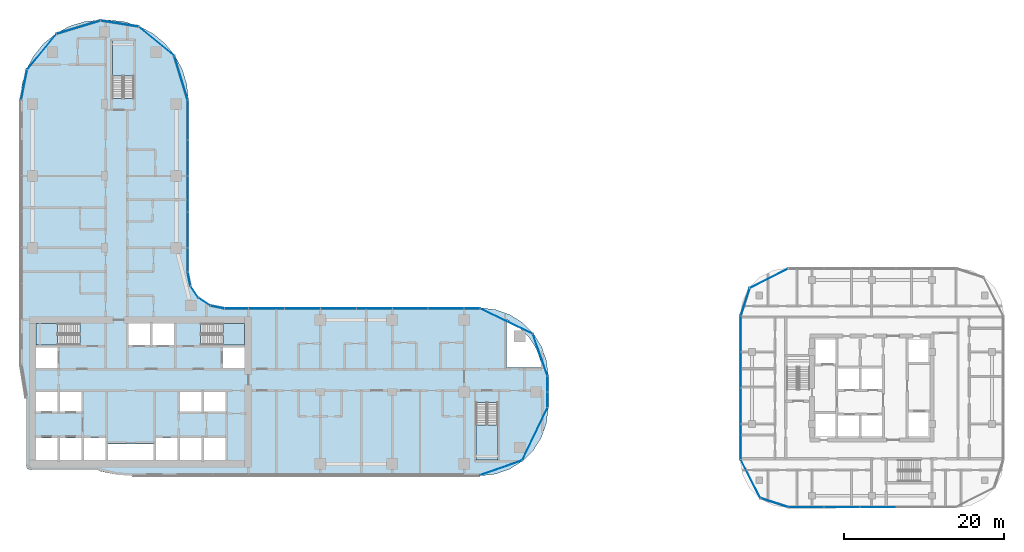
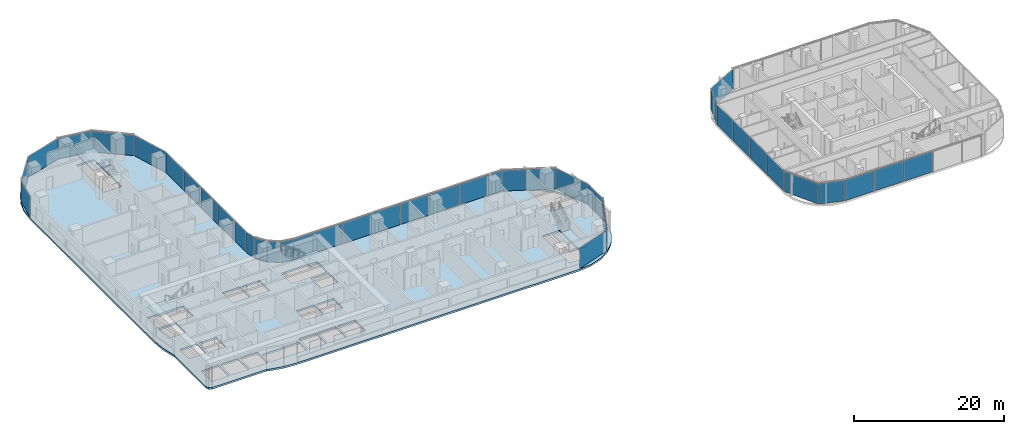
# One storey, part 14 of 33: 40 plates, 5 slabs, 15 elements without a shape of their own.
"""IFC4 building model written with IfcOpenShell, lengths in metres."""

import ifcopenshell
import ifcopenshell.guid

model = None  # the IFC model being written
_history = None  # IfcOwnerHistory: only IFC2X3 demands one
_inside = {}  # id of a spatial element -> (the spatial element, [elements in it])
_under = {}  # id of a project, library or spatial element -> (it, [spatial elements below it])
_declared = {}  # id of a project -> (the project, [libraries it declares])
_typed = {}  # id of a type object -> (the type object, [elements of that type])
_made_of = {}  # id of a material, layer set ... -> (it, [elements and type objects made of it])


def new_model(schema):
    """Start an empty IFC model of exactly this schema.

    Asked for "IFC4X3", IfcOpenShell would pick the latest addendum, in which some entities
    have other attributes; the version numbers below select the first issue.
    IFC2X3 requires an IfcOwnerHistory on every rooted entity: one is made here for all.
    """
    global model, _history
    if schema == "IFC4X3":
        model = ifcopenshell.file(schema_version=(4, 3, 0, 0))
    else:
        model = ifcopenshell.file(schema=schema)
    _inside.clear()
    _under.clear()
    _declared.clear()
    _typed.clear()
    _made_of.clear()
    _history = None
    if model.schema == "IFC2X3":
        org = make("IfcOrganization", Name="unknown")
        user = make(
            "IfcPersonAndOrganization",
            ThePerson=make("IfcPerson", FamilyName="unknown"),
            TheOrganization=org,
        )
        app = make(
            "IfcApplication",
            ApplicationDeveloper=org,
            Version="unknown",
            ApplicationFullName="unknown",
            ApplicationIdentifier="unknown",
        )
        _history = make(
            "IfcOwnerHistory",
            OwningUser=user,
            OwningApplication=app,
            ChangeAction="ADDED",
            CreationDate=0,
        )
    return model


def make(cls, **values):
    """One entity of the class cls with the attributes given. An attribute that is None is left unset."""
    return model.create_entity(
        cls, **{name: value for name, value in values.items() if value is not None}
    )


def rooted(cls, **values):
    """An entity with a GlobalId (a new one), such as an element, a storey or a relation."""
    return make(cls, GlobalId=ifcopenshell.guid.new(), OwnerHistory=_history, **values)


def si_unit(unit_type, name, prefix=None):
    """IfcSIUnit, for example si_unit("LENGTHUNIT", "METRE", prefix="MILLI")."""
    return make("IfcSIUnit", UnitType=unit_type, Prefix=prefix, Name=name)


def assignment(units):
    """IfcUnitAssignment: the units of a project."""
    return None if units is None else make("IfcUnitAssignment", Units=units)


def point(xyz):
    """IfcCartesianPoint."""
    return None if xyz is None else make("IfcCartesianPoint", Coordinates=xyz)


def direction(xyz):
    """IfcDirection."""
    return None if xyz is None else make("IfcDirection", DirectionRatios=xyz)


def frame(location, z_axis=None, x_axis=None):
    """IfcAxis2Placement3D, a coordinate frame: its origin and axes. An axis left out is left unset."""
    return make(
        "IfcAxis2Placement3D",
        Location=point(location),
        Axis=direction(z_axis),
        RefDirection=direction(x_axis),
    )


def frame_2d(location, x_axis=None):
    """IfcAxis2Placement2D, a coordinate frame in the plane: its origin and x axis."""
    return make(
        "IfcAxis2Placement2D", Location=point(location), RefDirection=direction(x_axis)
    )


def origin():
    """The frame at (0, 0, 0) with its axes left unset."""
    return frame((0.0, 0.0, 0.0))


def origin_2d():
    """The frame at (0, 0) in the plane with its x axis left unset."""
    return frame_2d((0.0, 0.0))


def place(relative_to, where):
    """IfcLocalPlacement: puts the frame where relative to a parent placement (None: the world)."""
    return make(
        "IfcLocalPlacement", PlacementRelTo=relative_to, RelativePlacement=where
    )


def context(
    kind, dimensions, precision=None, world=None, true_north=None, identifier=None
):
    """IfcGeometricRepresentationContext, for example the 3D "Model" context."""
    return make(
        "IfcGeometricRepresentationContext",
        ContextIdentifier=identifier,
        ContextType=kind,
        CoordinateSpaceDimension=dimensions,
        Precision=precision,
        WorldCoordinateSystem=world,
        TrueNorth=true_north,
    )


def subcontext(parent, identifier, kind, view, scale=None):
    """IfcGeometricRepresentationSubContext, for example "Body" below "Model"."""
    return make(
        "IfcGeometricRepresentationSubContext",
        ContextIdentifier=identifier,
        ContextType=kind,
        ParentContext=parent,
        TargetScale=scale,
        TargetView=view,
    )


def project(units=None, contexts=None):
    """IfcProject with its units and contexts."""
    return rooted(
        "IfcProject",
        Name="project",
        RepresentationContexts=contexts,
        UnitsInContext=assignment(units),
    )


def spatial(cls, under=None, at=None, **own):
    """A site, building, storey or space (cls), placed at a placement, below another one or the project."""
    s = rooted(cls, ObjectPlacement=at, **own)
    if under is not None:
        _under.setdefault(under.id(), (under, []))[1].append(s)
    return s


def polyline(points):
    """IfcPolyline through the points."""
    return make("IfcPolyline", Points=[point(p) for p in points])


def profile(cls, at=None, kind="AREA", **sizes):
    """A parametric profile (cls). Its sizes go by their IFC names, for example OverallWidth=200.0."""
    return make(cls, ProfileType=kind, Position=at, **sizes)


def rectangle(**sizes):
    """IfcRectangleProfileDef."""
    return profile("IfcRectangleProfileDef", **sizes)


def outline(outer, holes=None, kind="AREA"):
    """IfcArbitraryClosedProfileDef: a profile drawn as a closed curve; with holes, ...WithVoids."""
    if holes is None:
        return make("IfcArbitraryClosedProfileDef", ProfileType=kind, OuterCurve=outer)
    return make(
        "IfcArbitraryProfileDefWithVoids",
        ProfileType=kind,
        OuterCurve=outer,
        InnerCurves=holes,
    )


def extrude(swept, where, along, depth):
    """IfcExtrudedAreaSolid: the profile swept, set in the frame where, extruded along a direction by depth."""
    return make(
        "IfcExtrudedAreaSolid",
        SweptArea=swept,
        Position=where,
        ExtrudedDirection=direction(along),
        Depth=depth,
    )


def shape(context_of_items, identifier, shape_type, items):
    """IfcShapeRepresentation: the items that make up one representation, for example the "Body"."""
    return make(
        "IfcShapeRepresentation",
        ContextOfItems=context_of_items,
        RepresentationIdentifier=identifier,
        RepresentationType=shape_type,
        Items=items,
    )


def material(Name=None, Category=None):
    """IfcMaterial."""
    return make("IfcMaterial", Name=Name, Category=Category)


def layer(
    of_material, thickness, ventilated=None, Name=None, Category=None, Priority=None
):
    """IfcMaterialLayer: one layer of a wall or slab, of a material (None: an air gap)."""
    return make(
        "IfcMaterialLayer",
        Material=of_material,
        LayerThickness=thickness,
        IsVentilated=ventilated,
        Name=Name,
        Category=Category,
        Priority=Priority,
    )


def layer_set(layers, Name=None):
    """IfcMaterialLayerSet."""
    return make("IfcMaterialLayerSet", MaterialLayers=layers, LayerSetName=Name)


def made_of(thing, what):
    """Note that an element or type object is made of a material, layer set ...; save() writes the relation."""
    if what is not None:
        _made_of.setdefault(what.id(), (what, []))[1].append(thing)
    return thing


def type_object(cls, material=None, **own):
    """A type object (cls), such as IfcWallType, which elements share."""
    return made_of(rooted(cls, **own), material)


def element(
    cls,
    number,
    at=None,
    inside=None,
    cuts=None,
    type_object=None,
    material=None,
    context=None,
    identifier="Body",
    shape_type=None,
    held_by="IfcProductDefinitionShape",
    body=None,
    shapes=None,
    **own,
):
    """One element of the class cls, such as IfcWall. Its Tag is "e" and its number.

    at: its placement. inside: the storey or other place that contains it. cuts: it is an
    opening in that element (IfcRelVoidsElement). A single representation is given by context,
    identifier, shape_type and body (its items); several are given by shapes. held_by: the class
    of the entity that holds the representations. save() writes the other relations.
    """
    e = rooted(cls, Tag="e%d" % number, ObjectPlacement=at, **own)
    if body is not None:
        shapes = [shape(context, identifier, shape_type, body)]
    if shapes is not None:
        e.Representation = make(held_by, Representations=shapes)
    if inside is not None:
        _inside.setdefault(inside.id(), (inside, []))[1].append(e)
    if cuts is not None:
        rooted(
            "IfcRelVoidsElement", RelatingBuildingElement=cuts, RelatedOpeningElement=e
        )
    if type_object is not None:
        _typed.setdefault(type_object.id(), (type_object, []))[1].append(e)
    return made_of(e, material)


def aggregate(whole, parts):
    """IfcRelAggregates: a whole, such as a stair, and the parts it consists of."""
    return rooted("IfcRelAggregates", RelatingObject=whole, RelatedObjects=parts)


def save(model, path):
    """Write the relations noted so far, then the file.

    IfcRelAggregates (storeys below a building ...), IfcRelContainedInSpatialStructure (elements
    in a storey), IfcRelDefinesByType, IfcRelAssociatesMaterial and IfcRelDeclares: one each for
    every whole, place, type object, material and project.
    """
    for whole, parts in _under.values():
        aggregate(whole, parts)
    for where, things in _inside.values():
        rooted(
            "IfcRelContainedInSpatialStructure",
            RelatedElements=things,
            RelatingStructure=where,
        )
    for kind, things in _typed.values():
        rooted("IfcRelDefinesByType", RelatedObjects=things, RelatingType=kind)
    for what, things in _made_of.values():
        rooted("IfcRelAssociatesMaterial", RelatedObjects=things, RelatingMaterial=what)
    for by, libraries in _declared.values():
        rooted("IfcRelDeclares", RelatingContext=by, RelatedDefinitions=libraries)
    model.write(path)


model = new_model("IFC4")

# Units and contexts
model_context = context("Model", 3, precision=1e-05, world=origin(), true_north=direction((0.0, 1.0)))
body_context = subcontext(model_context, "Body", "Model", "MODEL_VIEW")
ifc_project = project(units=[si_unit("LENGTHUNIT", "METRE"), si_unit("AREAUNIT", "SQUARE_METRE"), si_unit("VOLUMEUNIT", "CUBIC_METRE"), si_unit("PLANEANGLEUNIT", "RADIAN"), si_unit("MASSUNIT", "GRAM", prefix="KILO")], contexts=[model_context])

# Site, building, storey
site_placement = place(None, origin())
site = spatial("IfcSite", under=ifc_project, at=site_placement, CompositionType="ELEMENT")
building_placement = place(site_placement, origin())
building = spatial("IfcBuilding", under=site, at=building_placement, Name="Ogive Portal Towers", CompositionType="ELEMENT")
storey_placement = place(building_placement, frame((0.0, 0.0, 77.89990234375)))
storey = spatial("IfcBuildingStorey", under=building, at=storey_placement, Name="L18", CompositionType="ELEMENT", Elevation=77.89990234375)

# Curtain wall, plates
ifc_material_1 = material(Name="Glass, clear low-iron insulated glazing", Category="glass")
curtain_wall_type_1 = type_object("IfcCurtainWallType", Name="CW FRONT RIBBON 4500", PredefinedType="NOTDEFINED", material=ifc_material_1)
curtain_wall_1_placement = place(storey_placement, origin())
curtain_wall_1 = element("IfcCurtainWall", 1, at=curtain_wall_1_placement, inside=storey, type_object=curtain_wall_type_1, Name="A:L18:f09:cw0", PredefinedType="NOTDEFINED")
ifc_layer_1 = layer(ifc_material_1, 0.028076171875)
ifc_layer_set_1 = layer_set([ifc_layer_1], Name="CW PANEL IGU 28")
plate_type = type_object("IfcPlateType", Name="CW PANEL IGU 28", PredefinedType="CURTAIN_PANEL", material=ifc_layer_set_1)
plate_1_placement = place(storey_placement, frame((95.919921875, 29.509033203125, 0.0), z_axis=(0.0, 0.0, 1.0), x_axis=(0.0, 1.0, 0.0)))
plate_1 = element("IfcPlate", 2, at=plate_1_placement, type_object=plate_type, Name="panel", PredefinedType="CURTAIN_PANEL", context=body_context, shape_type="SweptSolid", body=[
    extrude(rectangle(XDim=1.921630859375, YDim=0.028076171875, at=origin_2d()), origin(), (0.0, 0.0, 1.0), 3.340087890625),
])
plate_2_placement = place(storey_placement, frame((95.919921875, 31.4931640625, 0.0), z_axis=(0.0, 0.0, 1.0), x_axis=(0.0, 1.0, 0.0)))
plate_2 = element("IfcPlate", 3, at=plate_2_placement, type_object=plate_type, Name="panel", PredefinedType="CURTAIN_PANEL", context=body_context, shape_type="SweptSolid", body=[
    extrude(rectangle(XDim=1.926513671875, YDim=0.028076171875, at=origin_2d()), origin(), (0.0, 0.0, 1.0), 3.340087890625),
])
aggregate(curtain_wall_1, [plate_1, plate_2])

curtain_wall_2_placement = place(storey_placement, origin())
curtain_wall_2 = element("IfcCurtainWall", 4, at=curtain_wall_2_placement, inside=storey, type_object=curtain_wall_type_1, Name="A:L18:f12:cw0", PredefinedType="NOTDEFINED")
plate_3_placement = place(storey_placement, frame((86.490966796875, 40.919921875, 0.0), z_axis=(0.0, 0.0, 1.0), x_axis=(-1.0, 0.0, 0.0)))
plate_3 = element("IfcPlate", 5, at=plate_3_placement, type_object=plate_type, Name="panel", PredefinedType="CURTAIN_PANEL", context=body_context, shape_type="SweptSolid", body=[
    extrude(rectangle(XDim=1.921630859375, YDim=0.028076171875, at=origin_2d()), origin(), (0.0, 0.0, 1.0), 3.340087890625),
])
plate_4_placement = place(storey_placement, frame((83.25, 40.919921875, 0.0), z_axis=(0.0, 0.0, 1.0), x_axis=(-1.0, 0.0, 0.0)))
plate_4 = element("IfcPlate", 6, at=plate_4_placement, type_object=plate_type, Name="panel", PredefinedType="CURTAIN_PANEL", context=body_context, shape_type="SweptSolid", body=[
    extrude(rectangle(XDim=4.43994140625, YDim=0.028076171875, at=origin_2d()), origin(), (0.0, 0.0, 1.0), 3.340087890625),
])
plate_5_placement = place(storey_placement, frame((78.75, 40.919921875, 0.0), z_axis=(0.0, 0.0, 1.0), x_axis=(-1.0, 0.0, 0.0)))
plate_5 = element("IfcPlate", 7, at=plate_5_placement, type_object=plate_type, Name="panel", PredefinedType="CURTAIN_PANEL", context=body_context, shape_type="SweptSolid", body=[
    extrude(rectangle(XDim=4.43994140625, YDim=0.028076171875, at=origin_2d()), origin(), (0.0, 0.0, 1.0), 3.340087890625),
])
plate_6_placement = place(storey_placement, frame((74.25, 40.919921875, 0.0), z_axis=(0.0, 0.0, 1.0), x_axis=(-1.0, 0.0, 0.0)))
plate_6 = element("IfcPlate", 8, at=plate_6_placement, type_object=plate_type, Name="panel", PredefinedType="CURTAIN_PANEL", context=body_context, shape_type="SweptSolid", body=[
    extrude(rectangle(XDim=4.43994140625, YDim=0.028076171875, at=origin_2d()), origin(), (0.0, 0.0, 1.0), 3.340087890625),
])
plate_7_placement = place(storey_placement, frame((69.75, 40.919921875, 0.0), z_axis=(0.0, 0.0, 1.0), x_axis=(-1.0, 0.0, 0.0)))
plate_7 = element("IfcPlate", 9, at=plate_7_placement, type_object=plate_type, Name="panel", PredefinedType="CURTAIN_PANEL", context=body_context, shape_type="SweptSolid", body=[
    extrude(rectangle(XDim=4.43994140625, YDim=0.028076171875, at=origin_2d()), origin(), (0.0, 0.0, 1.0), 3.340087890625),
])
plate_8_placement = place(storey_placement, frame((65.25, 40.919921875, 0.0), z_axis=(0.0, 0.0, 1.0), x_axis=(-1.0, 0.0, 0.0)))
plate_8 = element("IfcPlate", 10, at=plate_8_placement, type_object=plate_type, Name="panel", PredefinedType="CURTAIN_PANEL", context=body_context, shape_type="SweptSolid", body=[
    extrude(rectangle(XDim=4.43994140625, YDim=0.028076171875, at=origin_2d()), origin(), (0.0, 0.0, 1.0), 3.340087890625),
])
plate_9_placement = place(storey_placement, frame((60.75, 40.919921875, 0.0), z_axis=(0.0, 0.0, 1.0), x_axis=(-1.0, 0.0, 0.0)))
plate_9 = element("IfcPlate", 11, at=plate_9_placement, type_object=plate_type, Name="panel", PredefinedType="CURTAIN_PANEL", context=body_context, shape_type="SweptSolid", body=[
    extrude(rectangle(XDim=4.43994140625, YDim=0.028076171875, at=origin_2d()), origin(), (0.0, 0.0, 1.0), 3.340087890625),
])
plate_10_placement = place(storey_placement, frame((56.99609375, 40.919921875, 0.0), z_axis=(0.0, 0.0, 1.0), x_axis=(-1.0, 0.0, 0.0)))
plate_10 = element("IfcPlate", 12, at=plate_10_placement, type_object=plate_type, Name="panel", PredefinedType="CURTAIN_PANEL", context=body_context, shape_type="SweptSolid", body=[
    extrude(rectangle(XDim=2.947998046875, YDim=0.028076171875, at=origin_2d()), origin(), (0.0, 0.0, 1.0), 3.340087890625),
])
aggregate(curtain_wall_2, [plate_3, plate_4, plate_5, plate_6, plate_7, plate_8, plate_9, plate_10])

curtain_wall_3_placement = place(storey_placement, origin())
curtain_wall_3 = element("IfcCurtainWall", 13, at=curtain_wall_3_placement, inside=storey, type_object=curtain_wall_type_1, Name="A:L18:f17:cw0", PredefinedType="NOTDEFINED")
plate_11_placement = place(storey_placement, frame((50.919921875, 46.99609375, 0.0), z_axis=(0.0, 0.0, 1.0), x_axis=(0.0, 1.0, 0.0)))
plate_11 = element("IfcPlate", 14, at=plate_11_placement, type_object=plate_type, Name="panel", PredefinedType="CURTAIN_PANEL", context=body_context, shape_type="SweptSolid", body=[
    extrude(rectangle(XDim=2.947998046875, YDim=0.028076171875, at=origin_2d()), origin(), (0.0, 0.0, 1.0), 3.340087890625),
])
plate_12_placement = place(storey_placement, frame((50.919921875, 50.75, 0.0), z_axis=(0.0, 0.0, 1.0), x_axis=(0.0, 1.0, 0.0)))
plate_12 = element("IfcPlate", 15, at=plate_12_placement, type_object=plate_type, Name="panel", PredefinedType="CURTAIN_PANEL", context=body_context, shape_type="SweptSolid", body=[
    extrude(rectangle(XDim=4.43994140625, YDim=0.028076171875, at=origin_2d()), origin(), (0.0, 0.0, 1.0), 3.340087890625),
])
plate_13_placement = place(storey_placement, frame((50.919921875, 55.25, 0.0), z_axis=(0.0, 0.0, 1.0), x_axis=(0.0, 1.0, 0.0)))
plate_13 = element("IfcPlate", 16, at=plate_13_placement, type_object=plate_type, Name="panel", PredefinedType="CURTAIN_PANEL", context=body_context, shape_type="SweptSolid", body=[
    extrude(rectangle(XDim=4.43994140625, YDim=0.028076171875, at=origin_2d()), origin(), (0.0, 0.0, 1.0), 3.340087890625),
])
plate_14_placement = place(storey_placement, frame((50.919921875, 59.75, 0.0), z_axis=(0.0, 0.0, 1.0), x_axis=(0.0, 1.0, 0.0)))
plate_14 = element("IfcPlate", 17, at=plate_14_placement, type_object=plate_type, Name="panel", PredefinedType="CURTAIN_PANEL", context=body_context, shape_type="SweptSolid", body=[
    extrude(rectangle(XDim=4.43994140625, YDim=0.028076171875, at=origin_2d()), origin(), (0.0, 0.0, 1.0), 3.340087890625),
])
plate_15_placement = place(storey_placement, frame((50.919921875, 64.494140625, 0.0), z_axis=(0.0, 0.0, 1.0), x_axis=(0.0, 1.0, 0.0)))
plate_15 = element("IfcPlate", 18, at=plate_15_placement, type_object=plate_type, Name="panel", PredefinedType="CURTAIN_PANEL", context=body_context, shape_type="SweptSolid", body=[
    extrude(rectangle(XDim=4.92822265625, YDim=0.028076171875, at=origin_2d()), origin(), (0.0, 0.0, 1.0), 3.340087890625),
])
aggregate(curtain_wall_3, [plate_11, plate_12, plate_13, plate_14, plate_15])

curtain_wall_4_placement = place(storey_placement, origin())
curtain_wall_4 = element("IfcCurtainWall", 19, at=curtain_wall_4_placement, inside=storey, type_object=curtain_wall_type_1, Name="A:L18:f07:cwa", PredefinedType="NOTDEFINED")
plate_16_placement = place(storey_placement, frame((90.1142578125, 20.99951171875, 0.0), z_axis=(0.0, 0.0, 1.0), x_axis=(0.943883330307, 0.33027906196, 0.0)))
plate_16 = element("IfcPlate", 20, at=plate_16_placement, type_object=plate_type, Name="panel", PredefinedType="CURTAIN_PANEL", context=body_context, shape_type="SweptSolid", body=[
    extrude(rectangle(XDim=5.508056640625, YDim=0.028076171875, at=origin_2d()), origin(), (0.0, 0.0, 1.0), 3.340087890625),
])
plate_17_placement = place(storey_placement, frame((94.3310546875, 25.21875, 0.0), z_axis=(0.0, 0.0, 1.0), x_axis=(0.433883739113, 0.900968867905, 0.0)))
plate_17 = element("IfcPlate", 21, at=plate_17_placement, type_object=plate_type, Name="panel", PredefinedType="CURTAIN_PANEL", context=body_context, shape_type="SweptSolid", body=[
    extrude(rectangle(XDim=7.2646484375, YDim=0.028076171875, at=origin_2d()), origin(), (0.0, 0.0, 1.0), 3.340087890625),
])
aggregate(curtain_wall_4, [plate_16, plate_17])

curtain_wall_5_placement = place(storey_placement, origin())
curtain_wall_5 = element("IfcCurtainWall", 22, at=curtain_wall_5_placement, inside=storey, type_object=curtain_wall_type_1, Name="A:L18:f10:cwa", PredefinedType="NOTDEFINED")
plate_18_placement = place(storey_placement, frame((95.00048828125, 35.1142578125, 0.0), z_axis=(0.0, 0.0, 1.0), x_axis=(-0.33027906196, 0.943883330307, 0.0)))
plate_18 = element("IfcPlate", 23, at=plate_18_placement, type_object=plate_type, Name="panel", PredefinedType="CURTAIN_PANEL", context=body_context, shape_type="SweptSolid", body=[
    extrude(rectangle(XDim=5.508056640625, YDim=0.028076171875, at=origin_2d()), origin(), (0.0, 0.0, 1.0), 3.340087890625),
])
plate_19_placement = place(storey_placement, frame((90.78125, 39.3310546875, 0.0), z_axis=(0.0, 0.0, 1.0), x_axis=(-0.900968867905, 0.433883739113, 0.0)))
plate_19 = element("IfcPlate", 24, at=plate_19_placement, type_object=plate_type, Name="panel", PredefinedType="CURTAIN_PANEL", context=body_context, shape_type="SweptSolid", body=[
    extrude(rectangle(XDim=7.2646484375, YDim=0.028076171875, at=origin_2d()), origin(), (0.0, 0.0, 1.0), 3.340087890625),
])
aggregate(curtain_wall_5, [plate_18, plate_19])

curtain_wall_6_placement = place(storey_placement, origin())
curtain_wall_6 = element("IfcCurtainWall", 25, at=curtain_wall_6_placement, inside=storey, type_object=curtain_wall_type_1, Name="A:L18:f13:cwa", PredefinedType="NOTDEFINED")
plate_20_placement = place(storey_placement, frame((54.619384765625, 41.093505859375, 0.0), z_axis=(0.0, 0.0, 1.0), x_axis=(-0.980785280403, 0.195090322016, 0.0)))
plate_20 = element("IfcPlate", 26, at=plate_20_placement, type_object=plate_type, Name="panel", PredefinedType="CURTAIN_PANEL", context=body_context, shape_type="SweptSolid", body=[
    extrude(rectangle(XDim=1.7197265625, YDim=0.028076171875, at=origin_2d()), origin(), (0.0, 0.0, 1.0), 3.340087890625),
])
plate_21_placement = place(storey_placement, frame((53.00341796875, 41.763671875, 0.0), z_axis=(0.0, 0.0, 1.0), x_axis=(-0.831469612303, 0.55557023302, 0.0)))
plate_21 = element("IfcPlate", 27, at=plate_21_placement, type_object=plate_type, Name="panel", PredefinedType="CURTAIN_PANEL", context=body_context, shape_type="SweptSolid", body=[
    extrude(rectangle(XDim=1.7275390625, YDim=0.028076171875, at=origin_2d()), origin(), (0.0, 0.0, 1.0), 3.340087890625),
])
plate_22_placement = place(storey_placement, frame((51.763671875, 43.00341796875, 0.0), z_axis=(0.0, 0.0, 1.0), x_axis=(-0.55557023302, 0.831469612303, 0.0)))
plate_22 = element("IfcPlate", 28, at=plate_22_placement, type_object=plate_type, Name="panel", PredefinedType="CURTAIN_PANEL", context=body_context, shape_type="SweptSolid", body=[
    extrude(rectangle(XDim=1.7275390625, YDim=0.028076171875, at=origin_2d()), origin(), (0.0, 0.0, 1.0), 3.340087890625),
])
plate_23_placement = place(storey_placement, frame((51.093505859375, 44.619384765625, 0.0), z_axis=(0.0, 0.0, 1.0), x_axis=(-0.195090322016, 0.980785280403, 0.0)))
plate_23 = element("IfcPlate", 29, at=plate_23_placement, type_object=plate_type, Name="panel", PredefinedType="CURTAIN_PANEL", context=body_context, shape_type="SweptSolid", body=[
    extrude(rectangle(XDim=1.7197265625, YDim=0.028076171875, at=origin_2d()), origin(), (0.0, 0.0, 1.0), 3.340087890625),
])
aggregate(curtain_wall_6, [plate_20, plate_21, plate_22, plate_23])

curtain_wall_7_placement = place(storey_placement, origin())
curtain_wall_7 = element("IfcCurtainWall", 30, at=curtain_wall_7_placement, inside=storey, type_object=curtain_wall_type_1, Name="A:L18:f18:cwa", PredefinedType="NOTDEFINED")
plate_24_placement = place(storey_placement, frame((50.08251953125, 69.748779296875, 0.0), z_axis=(0.0, 0.0, 1.0), x_axis=(-0.290284677254, 0.956940335732, 0.0)))
plate_24 = element("IfcPlate", 31, at=plate_24_placement, type_object=plate_type, Name="panel", PredefinedType="CURTAIN_PANEL", context=body_context, shape_type="SweptSolid", body=[
    extrude(rectangle(XDim=5.70947265625, YDim=0.028076171875, at=origin_2d()), origin(), (0.0, 0.0, 1.0), 3.340087890625),
])
plate_25_placement = place(storey_placement, frame((47.01904296875, 74.336181640625, 0.0), z_axis=(0.0, 0.0, 1.0), x_axis=(-0.773010453363, 0.634393284164, 0.0)))
plate_25 = element("IfcPlate", 32, at=plate_25_placement, type_object=plate_type, Name="panel", PredefinedType="CURTAIN_PANEL", context=body_context, shape_type="SweptSolid", body=[
    extrude(rectangle(XDim=5.69970703125, YDim=0.028076171875, at=origin_2d()), origin(), (0.0, 0.0, 1.0), 3.340087890625),
])
plate_26_placement = place(storey_placement, frame((42.399169921875, 76.54052734375, 0.0), z_axis=(0.0, 0.0, 1.0), x_axis=(-0.987792174992, 0.155777466355, 0.0)))
plate_26 = element("IfcPlate", 33, at=plate_26_placement, type_object=plate_type, Name="panel", PredefinedType="CURTAIN_PANEL", context=body_context, shape_type="SweptSolid", body=[
    extrude(rectangle(XDim=4.786376953125, YDim=0.028076171875, at=origin_2d()), origin(), (0.0, 0.0, 1.0), 3.340087890625),
])
plate_27_placement = place(storey_placement, frame((37.248291015625, 76.08154296875, 0.0), z_axis=(0.0, 0.0, 1.0), x_axis=(-0.956940335732, -0.290284677254, 0.0)))
plate_27 = element("IfcPlate", 34, at=plate_27_placement, type_object=plate_type, Name="panel", PredefinedType="CURTAIN_PANEL", context=body_context, shape_type="SweptSolid", body=[
    extrude(rectangle(XDim=5.703125, YDim=0.028076171875, at=origin_2d()), origin(), (0.0, 0.0, 1.0), 3.340087890625),
])
plate_28_placement = place(storey_placement, frame((32.663330078125, 73.018310546875, 0.0), z_axis=(0.0, 0.0, 1.0), x_axis=(-0.634393284164, -0.773010453363, 0.0)))
plate_28 = element("IfcPlate", 35, at=plate_28_placement, type_object=plate_type, Name="panel", PredefinedType="CURTAIN_PANEL", context=body_context, shape_type="SweptSolid", body=[
    extrude(rectangle(XDim=5.701416015625, YDim=0.028076171875, at=origin_2d()), origin(), (0.0, 0.0, 1.0), 3.340087890625),
])
plate_29_placement = place(storey_placement, frame((30.457763671875, 68.891845703125, 0.0), z_axis=(0.0, 0.0, 1.0), x_axis=(-0.195090322016, -0.980785280403, 0.0)))
plate_29 = element("IfcPlate", 36, at=plate_29_placement, type_object=plate_type, Name="panel", PredefinedType="CURTAIN_PANEL", context=body_context, shape_type="SweptSolid", body=[
    extrude(rectangle(XDim=3.81396484375, YDim=0.028076171875, at=origin_2d()), origin(), (0.0, 0.0, 1.0), 3.340087890625),
])
aggregate(curtain_wall_7, [plate_24, plate_25, plate_26, plate_27, plate_28, plate_29])

curtain_wall_type_2 = type_object("IfcCurtainWallType", Name="CW RESIDENCES RIBBON", PredefinedType="NOTDEFINED", material=ifc_material_1)
curtain_wall_8_placement = place(storey_placement, origin())
curtain_wall_8 = element("IfcCurtainWall", 37, at=curtain_wall_8_placement, inside=storey, type_object=curtain_wall_type_2, Name="B:L18:f02:cw0", PredefinedType="NOTDEFINED")
plate_30_placement = place(storey_placement, frame((128.25634765625, 16.080078125, 0.0), z_axis=(0.0, 0.0, 1.0), x_axis=(1.0, 0.0, 0.0)))
plate_30 = element("IfcPlate", 38, at=plate_30_placement, type_object=plate_type, Name="panel", PredefinedType="CURTAIN_PANEL", context=body_context, shape_type="SweptSolid", body=[
    extrude(rectangle(XDim=4.42724609375, YDim=0.028076171875, at=origin_2d()), origin(), (0.0, 0.0, 1.0), 3.340087890625),
])
plate_31_placement = place(storey_placement, frame((132.75, 16.080078125, 0.0), z_axis=(0.0, 0.0, 1.0), x_axis=(1.0, 0.0, 0.0)))
plate_31 = element("IfcPlate", 39, at=plate_31_placement, type_object=plate_type, Name="panel", PredefinedType="CURTAIN_PANEL", context=body_context, shape_type="SweptSolid", body=[
    extrude(rectangle(XDim=4.43994140625, YDim=0.028076171875, at=origin_2d()), origin(), (0.0, 0.0, 1.0), 3.340087890625),
])
plate_32_placement = place(storey_placement, frame((137.25, 16.080078125, 0.0), z_axis=(0.0, 0.0, 1.0), x_axis=(1.0, 0.0, 0.0)))
plate_32 = element("IfcPlate", 40, at=plate_32_placement, type_object=plate_type, Name="panel", PredefinedType="CURTAIN_PANEL", context=body_context, shape_type="SweptSolid", body=[
    extrude(rectangle(XDim=4.43994140625, YDim=0.028076171875, at=origin_2d()), origin(), (0.0, 0.0, 1.0), 3.340087890625),
])
aggregate(curtain_wall_8, [plate_30, plate_31, plate_32])

curtain_wall_9_placement = place(storey_placement, origin())
curtain_wall_9 = element("IfcCurtainWall", 41, at=curtain_wall_9_placement, inside=storey, type_object=curtain_wall_type_2, Name="B:L18:f11:cw0", PredefinedType="NOTDEFINED")
plate_33_placement = place(storey_placement, frame((120.080078125, 37.74365234375, 0.0), z_axis=(0.0, 0.0, 1.0), x_axis=(0.0, -1.0, 0.0)))
plate_33 = element("IfcPlate", 42, at=plate_33_placement, type_object=plate_type, Name="panel", PredefinedType="CURTAIN_PANEL", context=body_context, shape_type="SweptSolid", body=[
    extrude(rectangle(XDim=4.42724609375, YDim=0.028076171875, at=origin_2d()), origin(), (0.0, 0.0, 1.0), 3.340087890625),
])
plate_34_placement = place(storey_placement, frame((120.080078125, 33.25, 0.0), z_axis=(0.0, 0.0, 1.0), x_axis=(0.0, -1.0, 0.0)))
plate_34 = element("IfcPlate", 43, at=plate_34_placement, type_object=plate_type, Name="panel", PredefinedType="CURTAIN_PANEL", context=body_context, shape_type="SweptSolid", body=[
    extrude(rectangle(XDim=4.43994140625, YDim=0.028076171875, at=origin_2d()), origin(), (0.0, 0.0, 1.0), 3.340087890625),
])
plate_35_placement = place(storey_placement, frame((120.080078125, 28.75, 0.0), z_axis=(0.0, 0.0, 1.0), x_axis=(0.0, -1.0, 0.0)))
plate_35 = element("IfcPlate", 44, at=plate_35_placement, type_object=plate_type, Name="panel", PredefinedType="CURTAIN_PANEL", context=body_context, shape_type="SweptSolid", body=[
    extrude(rectangle(XDim=4.43994140625, YDim=0.028076171875, at=origin_2d()), origin(), (0.0, 0.0, 1.0), 3.340087890625),
])
plate_36_placement = place(storey_placement, frame((120.080078125, 24.259521484375, 0.0), z_axis=(0.0, 0.0, 1.0), x_axis=(0.0, -1.0, 0.0)))
plate_36 = element("IfcPlate", 45, at=plate_36_placement, type_object=plate_type, Name="panel", PredefinedType="CURTAIN_PANEL", context=body_context, shape_type="SweptSolid", body=[
    extrude(rectangle(XDim=4.4208984375, YDim=0.028076171875, at=origin_2d()), origin(), (0.0, 0.0, 1.0), 3.340087890625),
])
aggregate(curtain_wall_9, [plate_33, plate_34, plate_35, plate_36])

curtain_wall_10_placement = place(storey_placement, origin())
curtain_wall_10 = element("IfcCurtainWall", 46, at=curtain_wall_10_placement, inside=storey, type_object=curtain_wall_type_2, Name="B:L18:f00:cwa", PredefinedType="NOTDEFINED")
plate_37_placement = place(storey_placement, frame((121.3046875, 19.615478515625, 0.0), z_axis=(0.0, 0.0, 1.0), x_axis=(0.45399049974, -0.891006524188, 0.0)))
plate_37 = element("IfcPlate", 47, at=plate_37_placement, type_object=plate_type, Name="panel", PredefinedType="CURTAIN_PANEL", context=body_context, shape_type="SweptSolid", body=[
    extrude(rectangle(XDim=5.33544921875, YDim=0.028076171875, at=origin_2d()), origin(), (0.0, 0.0, 1.0), 3.340087890625),
])
plate_38_placement = place(storey_placement, frame((124.27099609375, 16.645751953125, 0.0), z_axis=(0.0, 0.0, 1.0), x_axis=(0.951056516295, -0.309016994375, 0.0)))
plate_38 = element("IfcPlate", 48, at=plate_38_placement, type_object=plate_type, Name="panel", PredefinedType="CURTAIN_PANEL", context=body_context, shape_type="SweptSolid", body=[
    extrude(rectangle(XDim=3.602294921875, YDim=0.028076171875, at=origin_2d()), origin(), (0.0, 0.0, 1.0), 3.340087890625),
])
aggregate(curtain_wall_10, [plate_37, plate_38])

curtain_wall_11_placement = place(storey_placement, origin())
curtain_wall_11 = element("IfcCurtainWall", 49, at=curtain_wall_11_placement, inside=storey, type_object=curtain_wall_type_2, Name="B:L18:f09:cwa", PredefinedType="NOTDEFINED")
plate_39_placement = place(storey_placement, frame((123.615478515625, 44.6953125, 0.0), z_axis=(0.0, 0.0, 1.0), x_axis=(-0.891006524188, -0.45399049974, 0.0)))
plate_39 = element("IfcPlate", 50, at=plate_39_placement, type_object=plate_type, Name="panel", PredefinedType="CURTAIN_PANEL", context=body_context, shape_type="SweptSolid", body=[
    extrude(rectangle(XDim=5.33544921875, YDim=0.028076171875, at=origin_2d()), origin(), (0.0, 0.0, 1.0), 3.340087890625),
])
plate_40_placement = place(storey_placement, frame((120.645751953125, 41.72900390625, 0.0), z_axis=(0.0, 0.0, 1.0), x_axis=(-0.309016994375, -0.951056516295, 0.0)))
plate_40 = element("IfcPlate", 51, at=plate_40_placement, type_object=plate_type, Name="panel", PredefinedType="CURTAIN_PANEL", context=body_context, shape_type="SweptSolid", body=[
    extrude(rectangle(XDim=3.602294921875, YDim=0.028076171875, at=origin_2d()), origin(), (0.0, 0.0, 1.0), 3.340087890625),
])
aggregate(curtain_wall_11, [plate_39, plate_40])

# Stair, slab
ifc_material_2 = material(Name="Concrete C40/50", Category="concrete")
stair_type = type_object("IfcStairType", Name="INT-STAIR", PredefinedType="HALF_TURN_STAIR", material=ifc_material_2)
stair_1_placement = place(storey_placement, origin())
stair_1 = element("IfcStair", 52, at=stair_1_placement, inside=storey, type_object=stair_type, Name="L18 Exit Stair ST-A1", PredefinedType="HALF_TURN_STAIR")
ifc_layer_2 = layer(ifc_material_2, 0.199951171875)
ifc_layer_set_2 = layer_set([ifc_layer_2], Name="INT-LANDING")
slab_type_1 = type_object("IfcSlabType", Name="INT-LANDING", PredefinedType="LANDING", material=ifc_layer_set_2)
slab_1_placement = place(storey_placement, frame((0.0, 0.0, 1.650146484375)))
slab_1 = element("IfcSlab", 53, at=slab_1_placement, type_object=slab_type_1, Name="ST-A1 landing 1", PredefinedType="LANDING", context=body_context, shape_type="SweptSolid", body=[
    extrude(outline(polyline([(34.64990234375, 39.050048828125), (31.949951171875, 39.050048828125), (31.949951171875, 36.35009765625), (34.64990234375, 36.35009765625), (34.64990234375, 39.050048828125)])), origin(), (0.0, 0.0, 1.0), 0.199951171875),
])
aggregate(stair_1, [slab_1])

stair_2_placement = place(storey_placement, origin())
stair_2 = element("IfcStair", 54, at=stair_2_placement, inside=storey, type_object=stair_type, Name="L18 Exit Stair ST-A2", PredefinedType="HALF_TURN_STAIR")
slab_2_placement = place(storey_placement, frame((0.0, 0.0, 1.650146484375)))
slab_2 = element("IfcSlab", 55, at=slab_2_placement, type_object=slab_type_1, Name="ST-A2 landing 1", PredefinedType="LANDING", context=body_context, shape_type="SweptSolid", body=[
    extrude(outline(polyline([(55.35009765625, 36.35009765625), (58.050048828125, 36.35009765625), (58.050048828125, 39.050048828125), (55.35009765625, 39.050048828125), (55.35009765625, 36.35009765625)])), origin(), (0.0, 0.0, 1.0), 0.199951171875),
])
aggregate(stair_2, [slab_2])

stair_3_placement = place(storey_placement, origin())
stair_3 = element("IfcStair", 56, at=stair_3_placement, inside=storey, type_object=stair_type, Name="L18 Exit Stair ST-A3", PredefinedType="HALF_TURN_STAIR")
slab_3_placement = place(storey_placement, frame((0.0, 0.0, 1.650146484375)))
slab_3 = element("IfcSlab", 57, at=slab_3_placement, type_object=slab_type_1, Name="ST-A3 landing 1", PredefinedType="LANDING", context=body_context, shape_type="SweptSolid", body=[
    extrude(outline(polyline([(44.199951171875, 70.0), (44.199951171875, 74.449951171875), (41.5, 74.449951171875), (41.5, 70.0), (44.199951171875, 70.0)])), origin(), (0.0, 0.0, 1.0), 0.199951171875),
])
aggregate(stair_3, [slab_3])

stair_4_placement = place(storey_placement, origin())
stair_4 = element("IfcStair", 58, at=stair_4_placement, inside=storey, type_object=stair_type, Name="L18 Exit Stair ST-A4", PredefinedType="HALF_TURN_STAIR")
slab_4_placement = place(storey_placement, frame((0.0, 0.0, 1.650146484375)))
slab_4 = element("IfcSlab", 59, at=slab_4_placement, type_object=slab_type_1, Name="ST-A4 landing 1", PredefinedType="LANDING", context=body_context, shape_type="SweptSolid", body=[
    extrude(outline(polyline([(87.0, 26.3701171875), (87.0, 21.949951171875), (89.699951171875, 21.949951171875), (89.699951171875, 26.3701171875), (87.0, 26.3701171875)])), origin(), (0.0, 0.0, 1.0), 0.199951171875),
])
aggregate(stair_4, [slab_4])

# Slab
ifc_material_3 = material(Name="Concrete C45/55", Category="concrete")
ifc_layer_3 = layer(ifc_material_3, 0.300048828125)
ifc_layer_set_3 = layer_set([ifc_layer_3], Name="PT FLAT PLATE 300")
slab_type_2 = type_object("IfcSlabType", Name="PT FLAT PLATE 300", PredefinedType="FLOOR", material=ifc_layer_set_3)
slab_5_placement = place(storey_placement, frame((0.0, 0.0, -0.2998046875)))
element("IfcSlab", 60, at=slab_5_placement, inside=storey, type_object=slab_type_2, Name="Floor slab L18", PredefinedType="FLOOR", context=body_context, shape_type="SweptSolid", body=[
    extrude(outline(polyline([(30.142578125, 32.007568359375), (30.567138671875, 30.0556640625), (30.699951171875, 29.699462890625), (30.699951171875, 21.300048828125), (30.875732421875, 20.875732421875), (31.300048828125, 20.699951171875), (39.699462890625, 20.699951171875), (40.0556640625, 20.567138671875), (42.007568359375, 20.142578125), (44.0, 20.0), (87.5, 20.0), (89.391357421875, 20.213134765625), (91.18798828125, 20.841796875), (92.7998046875, 21.8544921875), (94.1455078125, 23.2001953125), (95.158203125, 24.81201171875), (95.786865234375, 26.608642578125), (96.0, 28.5), (96.0, 32.5), (95.786865234375, 34.391357421875), (95.158203125, 36.18798828125), (94.1455078125, 37.7998046875), (92.7998046875, 39.1455078125), (91.18798828125, 40.158203125), (89.391357421875, 40.786865234375), (87.5, 41.0), (55.5, 41.0), (53.77783203125, 41.342529296875), (52.318115234375, 42.318115234375), (51.342529296875, 43.77783203125), (51.0, 45.5), (51.0, 67.0), (50.807861328125, 68.950927734375), (50.23876953125, 70.826904296875), (49.314697265625, 72.5556640625), (48.071044921875, 74.071044921875), (46.5556640625, 75.314697265625), (44.826904296875, 76.23876953125), (42.950927734375, 76.807861328125), (41.0, 77.0), (40.0, 77.0), (38.049072265625, 76.807861328125), (36.173095703125, 76.23876953125), (34.4443359375, 75.314697265625), (32.928955078125, 74.071044921875), (31.685302734375, 72.5556640625), (30.76123046875, 70.826904296875), (30.192138671875, 68.950927734375), (30.0, 67.0), (30.0, 34.0), (30.142578125, 32.007568359375)]), holes=[polyline([(46.6298828125, 21.969970703125), (40.969970703125, 21.969970703125), (40.969970703125, 24.0029296875), (46.6298828125, 24.0029296875), (46.6298828125, 21.969970703125)]), polyline([(34.64990234375, 24.75), (34.64990234375, 21.949951171875), (31.949951171875, 21.949951171875), (31.949951171875, 24.75), (34.64990234375, 24.75)]), polyline([(37.64990234375, 24.75), (37.64990234375, 21.949951171875), (34.949951171875, 21.949951171875), (34.949951171875, 24.75), (37.64990234375, 24.75)]), polyline([(37.969970703125, 21.969970703125), (37.969970703125, 24.72998046875), (40.6298828125, 24.72998046875), (40.6298828125, 21.969970703125), (37.969970703125, 21.969970703125)]), polyline([(34.64990234375, 28.050048828125), (31.949951171875, 28.050048828125), (31.949951171875, 30.5), (34.64990234375, 30.5), (34.64990234375, 28.050048828125)]), polyline([(37.64990234375, 30.5), (37.64990234375, 28.050048828125), (34.949951171875, 28.050048828125), (34.949951171875, 30.5), (37.64990234375, 30.5)]), polyline([(34.64990234375, 33.5), (31.949951171875, 33.5), (31.949951171875, 36.050048828125), (34.64990234375, 36.050048828125), (34.64990234375, 33.5)]), polyline([(37.447998046875, 39.048095703125), (37.447998046875, 36.35205078125), (31.951904296875, 36.35205078125), (31.951904296875, 39.048095703125), (37.447998046875, 39.048095703125)]), polyline([(46.199951171875, 39.050048828125), (46.199951171875, 36.35009765625), (43.5, 36.35009765625), (43.5, 39.050048828125), (46.199951171875, 39.050048828125)]), polyline([(49.199951171875, 36.35009765625), (46.5, 36.35009765625), (46.5, 39.050048828125), (49.199951171875, 39.050048828125), (49.199951171875, 36.35009765625)]), polyline([(44.197998046875, 67.201904296875), (41.501953125, 67.201904296875), (41.501953125, 74.447998046875), (44.197998046875, 74.447998046875), (44.197998046875, 67.201904296875)]), polyline([(49.6298828125, 21.969970703125), (46.969970703125, 21.969970703125), (46.969970703125, 24.72998046875), (49.6298828125, 24.72998046875), (49.6298828125, 21.969970703125)]), polyline([(52.64990234375, 24.75), (52.64990234375, 21.949951171875), (49.949951171875, 21.949951171875), (49.949951171875, 24.75), (52.64990234375, 24.75)]), polyline([(55.64990234375, 21.949951171875), (52.949951171875, 21.949951171875), (52.949951171875, 24.75), (55.64990234375, 24.75), (55.64990234375, 21.949951171875)]), polyline([(87.001953125, 29.16796875), (89.697998046875, 29.16796875), (89.697998046875, 21.951904296875), (87.001953125, 21.951904296875), (87.001953125, 29.16796875)]), polyline([(52.64990234375, 30.5), (52.64990234375, 28.050048828125), (49.949951171875, 28.050048828125), (49.949951171875, 30.5), (52.64990234375, 30.5)]), polyline([(55.64990234375, 28.050048828125), (52.949951171875, 28.050048828125), (52.949951171875, 30.5), (55.64990234375, 30.5), (55.64990234375, 28.050048828125)]), polyline([(58.050048828125, 36.050048828125), (58.050048828125, 33.5), (55.35009765625, 33.5), (55.35009765625, 36.050048828125), (58.050048828125, 36.050048828125)]), polyline([(94.523681640625, 35.88232421875), (95.080078125, 34.292236328125), (95.080078125, 33.52001953125), (90.77001953125, 33.52001953125), (90.77001953125, 39.56298828125), (90.88232421875, 39.523681640625), (92.360595703125, 38.5947265625), (93.5947265625, 37.360595703125), (94.523681640625, 35.88232421875)]), polyline([(52.552001953125, 36.35205078125), (52.552001953125, 39.048095703125), (58.048095703125, 39.048095703125), (58.048095703125, 36.35205078125), (52.552001953125, 36.35205078125)])]), origin(), (0.0, 0.0, 1.0), 0.2998046875),
])

save(model, "model.ifc")
